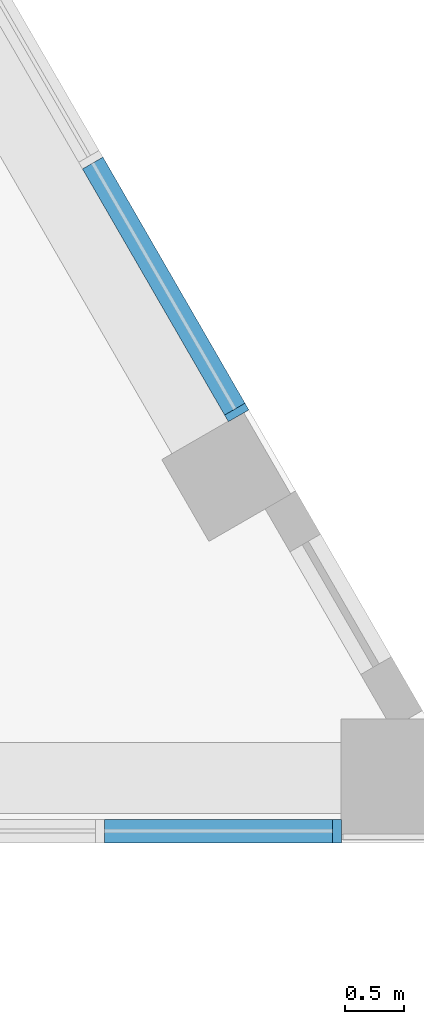
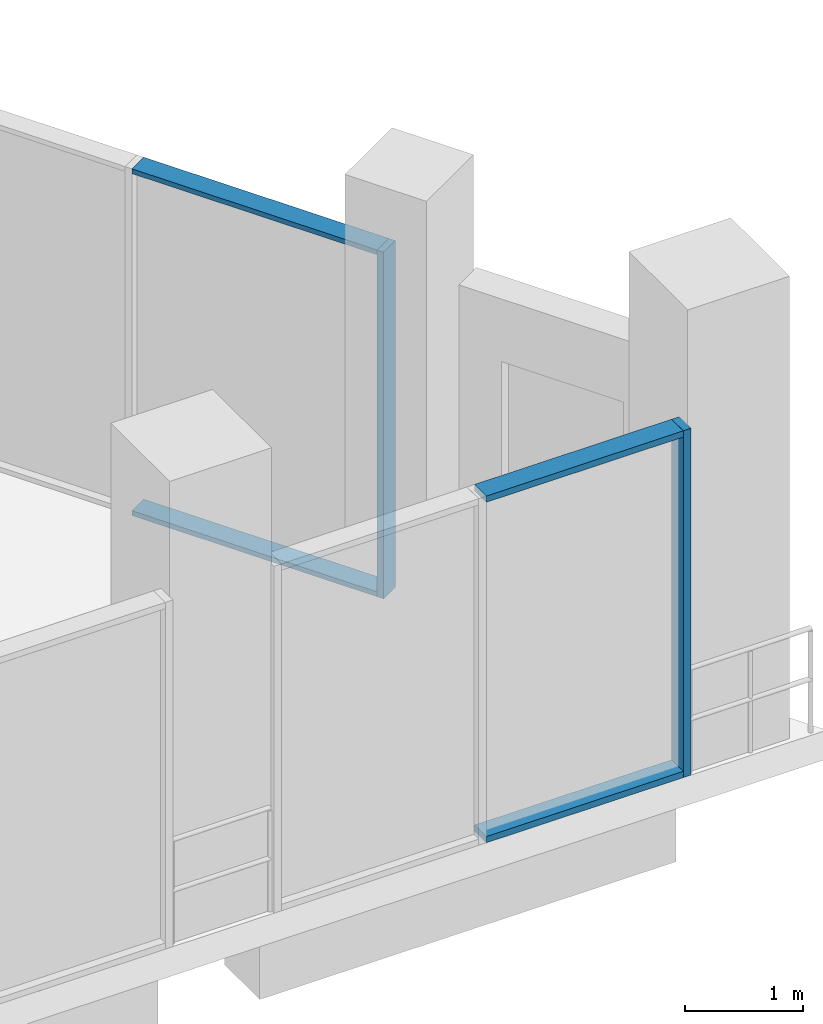
# One storey, part 9 of 45: 6 members, 2 elements without a shape of their own.
"""IFC4 building model written with IfcOpenShell, lengths in metres."""

from ifc_helpers import new_model, si_unit, direction, frame, origin, origin_2d, place, context, subcontext, project, spatial, rectangle, extrude, material, layer, layer_set, material_profile, profile_set, type_object, element, aggregate, save


model = new_model("IFC4")

# Units and contexts
model_context = context("Model", 3, precision=1e-05, world=origin(), true_north=direction((0.0, 1.0)))
body_context = subcontext(model_context, "Body", "Model", "MODEL_VIEW")
ifc_project = project(units=[si_unit("LENGTHUNIT", "METRE"), si_unit("AREAUNIT", "SQUARE_METRE"), si_unit("VOLUMEUNIT", "CUBIC_METRE"), si_unit("PLANEANGLEUNIT", "RADIAN"), si_unit("MASSUNIT", "GRAM", prefix="KILO")], contexts=[model_context])

# Site, building, storey
site_placement = place(None, origin())
site = spatial("IfcSite", under=ifc_project, at=site_placement, CompositionType="ELEMENT")
building_placement = place(site_placement, origin())
building = spatial("IfcBuilding", under=site, at=building_placement, Name="Nakaniwa Court", CompositionType="ELEMENT")
storey_placement = place(building_placement, frame((0.0, 0.0, 6.60009765625)))
storey = spatial("IfcBuildingStorey", under=building, at=storey_placement, Name="L01", CompositionType="ELEMENT", Elevation=6.60009765625)

# Curtain wall, members
ifc_material_1 = material(Name="Black anodised aluminium frame with dark low-E laminated double glazing", Category="aluminium")
ifc_layer_1 = layer(ifc_material_1, 0.199951171875)
ifc_layer_set_1 = layer_set([ifc_layer_1], Name="Black anodised aluminium frame with dark low-E laminated double glazing")
curtain_wall_type_1 = type_object("IfcCurtainWallType", Name="Podium unitised curtain wall", PredefinedType="NOTDEFINED", material=ifc_layer_set_1)
curtain_wall_1_placement = place(storey_placement, origin())
curtain_wall_1 = element("IfcCurtainWall", 1, at=curtain_wall_1_placement, inside=storey, type_object=curtain_wall_type_1, Name="L01 curtain wall CW1 40", PredefinedType="NOTDEFINED")
ifc_material_2 = material(Name="Black anodised aluminium extrusion", Category="aluminium")
ifc_material_profile_1 = material_profile(ifc_material_2, rectangle(XDim=0.199951171875, YDim=0.06494140625, at=origin_2d()), Name="Podium unitised curtain wall mullion 65x200")
ifc_profile_set_1 = profile_set([ifc_material_profile_1], Name="Black anodised aluminium extrusion")
member_type_1 = type_object("IfcMemberType", Name="Podium unitised curtain wall mullion 65x200", PredefinedType="MULLION", material=ifc_profile_set_1)
member_1_placement = place(storey_placement, frame((111.612060546875, 91.04638671875, 0.0), z_axis=(0.0, 0.0, 1.0), x_axis=(-0.866032365426, -0.499987941889, 0.0)))
member_1 = element("IfcMember", 2, at=member_1_placement, type_object=member_type_1, Name="CW1 mullion 1", PredefinedType="MULLION", context=body_context, shape_type="SweptSolid", body=[
    extrude(rectangle(XDim=0.199951171875, YDim=0.06494140625, at=origin_2d()), origin(), (0.0, 0.0, 1.0), 3.599853515625),
])
ifc_material_profile_2 = material_profile(ifc_material_2, rectangle(XDim=0.199951171875, YDim=0.050048828125, at=origin_2d()), Name="Podium unitised curtain wall transom 50x200")
ifc_profile_set_2 = profile_set([ifc_material_profile_2], Name="Black anodised aluminium extrusion")
member_type_2 = type_object("IfcMemberType", Name="Podium unitised curtain wall transom 50x200", PredefinedType="USERDEFINED", material=ifc_profile_set_2)
member_2_placement = place(storey_placement, frame((111.595703125, 91.07470703125, 0.02490234375), z_axis=(-0.50003260427, 0.866006578882, 0.0), x_axis=(-0.866006578882, -0.50003260427, 0.0)))
member_2 = element("IfcMember", 3, at=member_2_placement, type_object=member_type_2, Name="CW1 transom 1.1", ObjectType="TRANSOM", PredefinedType="USERDEFINED", context=body_context, shape_type="SweptSolid", body=[
    extrude(rectangle(XDim=0.199951171875, YDim=0.050048828125, at=origin_2d()), origin(), (0.0, 0.0, 1.0), 2.407470703125),
])
member_3_placement = place(storey_placement, frame((111.595703125, 91.07470703125, 3.574951171875), z_axis=(-0.50003260427, 0.866006578882, 0.0), x_axis=(-0.866006578882, -0.50003260427, 0.0)))
member_3 = element("IfcMember", 4, at=member_3_placement, type_object=member_type_2, Name="CW1 transom 1.2", ObjectType="TRANSOM", PredefinedType="USERDEFINED", context=body_context, shape_type="SweptSolid", body=[
    extrude(rectangle(XDim=0.199951171875, YDim=0.050048828125, at=origin_2d()), origin(), (0.0, 0.0, 1.0), 2.407470703125),
])
aggregate(curtain_wall_1, [member_1, member_2, member_3])

ifc_layer_2 = layer(ifc_material_1, 0.199951171875)
ifc_layer_set_2 = layer_set([ifc_layer_2], Name="Black anodised aluminium frame with dark low-E laminated double glazing")
curtain_wall_type_2 = type_object("IfcCurtainWallType", Name="Portal side curtain wall", PredefinedType="NOTDEFINED", material=ifc_layer_set_2)
curtain_wall_2_placement = place(storey_placement, origin())
curtain_wall_2 = element("IfcCurtainWall", 5, at=curtain_wall_2_placement, inside=storey, type_object=curtain_wall_type_2, Name="L01 curtain wall CW5 38", PredefinedType="NOTDEFINED")
ifc_material_profile_3 = material_profile(ifc_material_2, rectangle(XDim=0.199951171875, YDim=0.074951171875, at=origin_2d()), Name="Portal side curtain wall mullion 75x200")
ifc_profile_set_3 = profile_set([ifc_material_profile_3], Name="Black anodised aluminium extrusion")
member_type_3 = type_object("IfcMemberType", Name="Portal side curtain wall mullion 75x200", PredefinedType="MULLION", material=ifc_profile_set_3)
member_4_placement = place(storey_placement, frame((112.46240234375, 87.5, 0.0), z_axis=(0.0, 0.0, 1.0), x_axis=(0.0, 1.0, 0.0)))
member_4 = element("IfcMember", 6, at=member_4_placement, type_object=member_type_3, Name="CW5 mullion 3", PredefinedType="MULLION", context=body_context, shape_type="SweptSolid", body=[
    extrude(rectangle(XDim=0.199951171875, YDim=0.074951171875, at=origin_2d()), origin(), (0.0, 0.0, 1.0), 3.599853515625),
])
ifc_material_profile_4 = material_profile(ifc_material_2, rectangle(XDim=0.199951171875, YDim=0.06494140625, at=origin_2d()), Name="Portal side curtain wall transom 65x200")
ifc_profile_set_4 = profile_set([ifc_material_profile_4], Name="Black anodised aluminium extrusion")
member_type_4 = type_object("IfcMemberType", Name="Portal side curtain wall transom 65x200", PredefinedType="USERDEFINED", material=ifc_profile_set_4)
member_5_placement = place(storey_placement, frame((110.489990234375, 87.5, 0.032470703125), z_axis=(1.0, 0.0, 0.0), x_axis=(0.0, 1.0, 0.0)))
member_5 = element("IfcMember", 7, at=member_5_placement, type_object=member_type_4, Name="CW5 transom 2.1", ObjectType="TRANSOM", PredefinedType="USERDEFINED", context=body_context, shape_type="SweptSolid", body=[
    extrude(rectangle(XDim=0.199951171875, YDim=0.06494140625, at=origin_2d()), origin(), (0.0, 0.0, 1.0), 1.93505859375),
])
member_6_placement = place(storey_placement, frame((110.489990234375, 87.5, 3.5673828125), z_axis=(1.0, 0.0, 0.0), x_axis=(0.0, 1.0, 0.0)))
member_6 = element("IfcMember", 8, at=member_6_placement, type_object=member_type_4, Name="CW5 transom 2.2", ObjectType="TRANSOM", PredefinedType="USERDEFINED", context=body_context, shape_type="SweptSolid", body=[
    extrude(rectangle(XDim=0.199951171875, YDim=0.06494140625, at=origin_2d()), origin(), (0.0, 0.0, 1.0), 1.93505859375),
])
aggregate(curtain_wall_2, [member_4, member_5, member_6])

save(model, "model.ifc")
